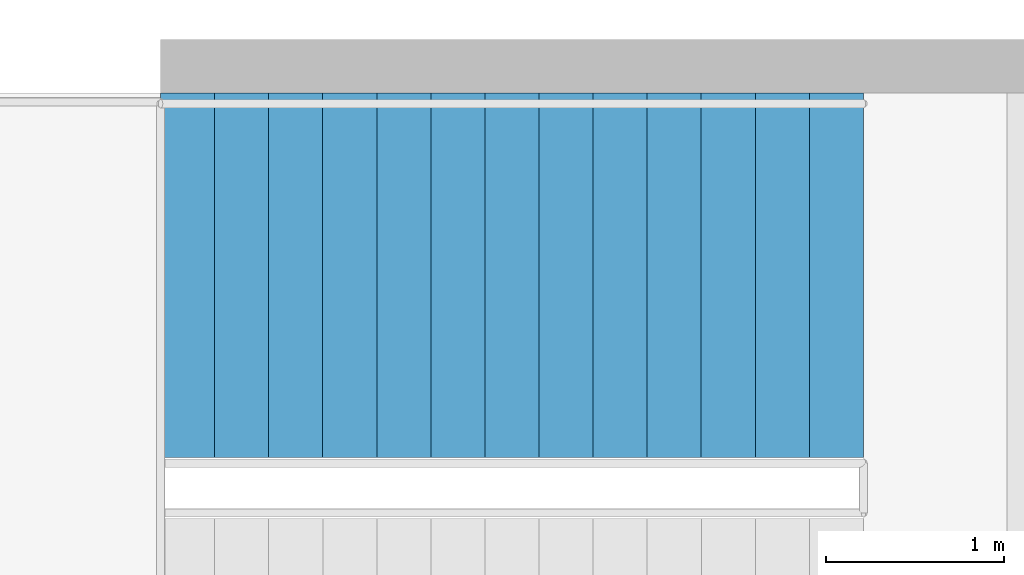
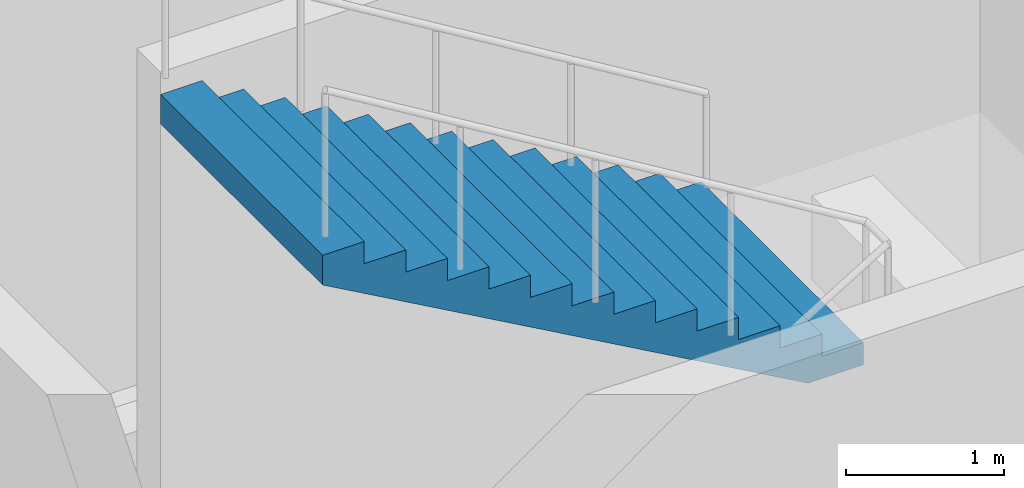
# One storey, part 71 of 79: 1 stair flight, 1 element without a shape of its own.
"""IFC4 building model written with IfcOpenShell, lengths in metres."""

from ifc_helpers import new_model, si_unit, direction, frame, origin, place, context, subcontext, project, spatial, polyline, outline, extrude, material, type_object, element, aggregate, save


model = new_model("IFC4")

# Units and contexts
model_context = context("Model", 3, precision=1e-05, world=origin(), true_north=direction((0.0, 1.0)))
body_context = subcontext(model_context, "Body", "Model", "MODEL_VIEW")
ifc_project = project(units=[si_unit("LENGTHUNIT", "METRE"), si_unit("AREAUNIT", "SQUARE_METRE"), si_unit("VOLUMEUNIT", "CUBIC_METRE"), si_unit("PLANEANGLEUNIT", "RADIAN"), si_unit("MASSUNIT", "GRAM", prefix="KILO")], contexts=[model_context])

# Site, building, storey
site_placement = place(None, origin())
site = spatial("IfcSite", under=ifc_project, at=site_placement, CompositionType="ELEMENT")
building_placement = place(site_placement, origin())
building = spatial("IfcBuilding", under=site, at=building_placement, Name="Pellamere Symphony Hall", CompositionType="ELEMENT")
storey_placement = place(building_placement, frame((0.0, 0.0, 10.199951171875)))
storey = spatial("IfcBuildingStorey", under=building, at=storey_placement, Name="L02", CompositionType="ELEMENT", Elevation=10.199951171875)

# Stair, stair flight
ifc_material = material(Name="Concrete 40 MPa", Category="concrete")
stair_type = type_object("IfcStairType", Name="Stair ST-B W2050", PredefinedType="HALF_TURN_STAIR", material=ifc_material)
stair_placement = place(storey_placement, origin())
stair = element("IfcStair", 1, at=stair_placement, inside=storey, type_object=stair_type, Name="Exit Stair ST14-L02 (L02 to L03)", PredefinedType="HALF_TURN_STAIR")
stair_flight_type = type_object("IfcStairFlightType", Name="Stair Flight SF-B W2050", PredefinedType="STRAIGHT", material=ifc_material)
stair_flight_placement = place(storey_placement, frame((170.574951171875, 80.97509765625, 2.400146484375), z_axis=(0.0, 0.0, 1.0), x_axis=(-1.0, 0.0, 0.0)))
stair_flight = element("IfcStairFlight", 2, at=stair_flight_placement, type_object=stair_flight_type, Name="Stair ST14-L02 Upper Flight (L02)", NumberOfRisers=14, NumberOfTreads=13, PredefinedType="STRAIGHT", RiserHeight=0.17143, TreadLength=0.30385, context=body_context, shape_type="SweptSolid", body=[
    extrude(outline(polyline([(0.0, 0.0), (0.0, 0.17138671875), (0.303955078125, 0.17138671875), (0.303955078125, 0.3427734375), (0.607666015625, 0.3427734375), (0.607666015625, 0.514404296875), (0.91162109375, 0.514404296875), (0.91162109375, 0.685791015625), (1.21533203125, 0.685791015625), (1.21533203125, 0.857177734375), (1.519287109375, 0.857177734375), (1.519287109375, 1.028564453125), (1.822998046875, 1.028564453125), (1.822998046875, 1.199951171875), (2.126953125, 1.199951171875), (2.126953125, 1.371337890625), (2.430908203125, 1.371337890625), (2.430908203125, 1.54296875), (2.734619140625, 1.54296875), (2.734619140625, 1.71435546875), (3.03857421875, 1.71435546875), (3.03857421875, 1.8857421875), (3.34228515625, 1.8857421875), (3.34228515625, 2.05712890625), (3.646240234375, 2.05712890625), (3.646240234375, 2.228515625), (3.949951171875, 2.228515625), (3.949951171875, 2.39990234375), (3.949951171875, 1.9990234375), (0.406982421875, 0.0), (0.0, 0.0)])), frame((0.0, 1.02490234375, 0.0), z_axis=(0.0, -1.0, 0.0), x_axis=(1.0, 0.0, 0.0)), (0.0, 0.0, 1.0), 2.050048828125),
])
aggregate(stair, [stair_flight])

save(model, "model.ifc")
